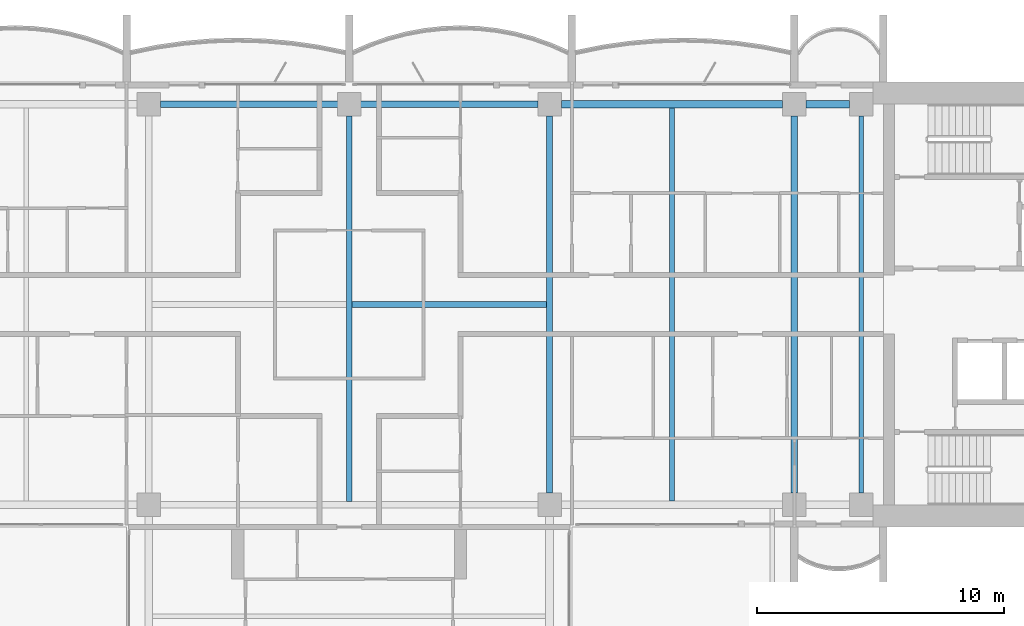
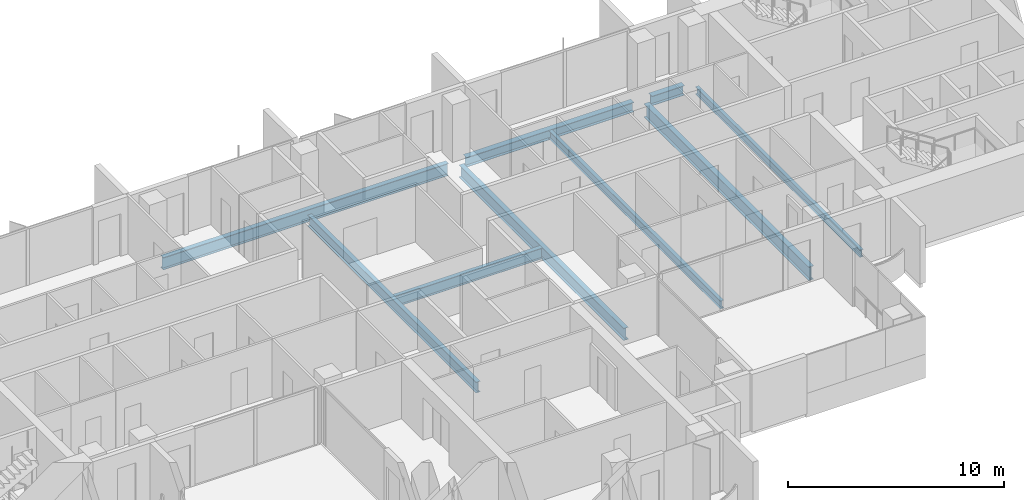
# One storey, part 4 of 18: 9 beams.
"""IFC4 building model written with IfcOpenShell, lengths in metres."""

from ifc_helpers import new_model, si_unit, direction, frame, origin, origin_2d, place, context, subcontext, project, spatial, i_section, extrude, material, material_profile, profile_set, type_object, element, save


model = new_model("IFC4")

# Units and contexts
model_context = context("Model", 3, precision=1e-05, world=origin(), true_north=direction((0.0, 1.0)))
body_context = subcontext(model_context, "Body", "Model", "MODEL_VIEW")
ifc_project = project(units=[si_unit("LENGTHUNIT", "METRE"), si_unit("AREAUNIT", "SQUARE_METRE"), si_unit("VOLUMEUNIT", "CUBIC_METRE"), si_unit("PLANEANGLEUNIT", "RADIAN"), si_unit("MASSUNIT", "GRAM", prefix="KILO")], contexts=[model_context])

# Site, building, storey
site_placement = place(None, origin())
site = spatial("IfcSite", under=ifc_project, at=site_placement, CompositionType="ELEMENT")
building_placement = place(site_placement, origin())
building = spatial("IfcBuilding", under=site, at=building_placement, Name="Perihelion Cross Residences", CompositionType="ELEMENT")
storey_placement = place(building_placement, frame((0.0, 0.0, 215.60009765625)))
storey = spatial("IfcBuildingStorey", under=building, at=storey_placement, Name="L54", CompositionType="ELEMENT", Elevation=215.60009765625)

# Beams
ifc_material_1 = material(Name="Steel S355", Category="steel")
ifc_material_profile_1 = material_profile(ifc_material_1, i_section(OverallWidth=0.180908203125, OverallDepth=0.4169921875, WebThickness=0.010986328125, FlangeThickness=0.018310546875, at=origin_2d()), Name="W410x85")
ifc_profile_set_1 = profile_set([ifc_material_profile_1], Name="Steel S355")
beam_type_1 = type_object("IfcBeamType", Name="Core edge beam W410x85", PredefinedType="BEAM", material=ifc_profile_set_1)
beam_1_placement = place(storey_placement, frame((20.699951171875, -7.625, -0.45849609375), z_axis=(0.0, 1.0, 0.0), x_axis=(-1.0, 0.0, 0.0)))
element("IfcBeam", 1, at=beam_1_placement, inside=storey, type_object=beam_type_1, Name="Core edge beam TB6 L54 no. 2", PredefinedType="BEAM", context=body_context, shape_type="SweptSolid", body=[
    extrude(i_section(OverallWidth=0.180908203125, OverallDepth=0.4169921875, WebThickness=0.010986328125, FlangeThickness=0.018310546875, at=origin_2d()), origin(), (0.0, 0.0, 1.0), 15.25),
])
ifc_material_2 = material(Name="Steel S355", Category="steel")
ifc_material_profile_2 = material_profile(ifc_material_2, i_section(OverallWidth=0.31201171875, OverallDepth=0.5439453125, WebThickness=0.0126953125, FlangeThickness=0.020263671875, at=origin_2d()), Name="W530x150")
ifc_profile_set_2 = profile_set([ifc_material_profile_2], Name="Steel S355")
beam_type_2 = type_object("IfcBeamType", Name="Edge beam W530x150", PredefinedType="SPANDREL", material=ifc_profile_set_2)
beam_2_placement = place(storey_placement, frame((20.22509765625, 8.10009765625, -0.522216796875), z_axis=(-1.0, 0.0, 0.0), x_axis=(0.0, -1.0, 0.0)))
element("IfcBeam", 2, at=beam_2_placement, inside=storey, type_object=beam_type_2, Name="Edge beam SB4 L54 no. 10", PredefinedType="SPANDREL", context=body_context, shape_type="SweptSolid", body=[
    extrude(i_section(OverallWidth=0.31201171875, OverallDepth=0.5439453125, WebThickness=0.0126953125, FlangeThickness=0.020263671875, at=origin_2d()), origin(), (0.0, 0.0, 1.0), 1.75),
])
beam_3_placement = place(storey_placement, frame((17.52490234375, 8.10009765625, -0.522216796875), z_axis=(-1.0, 0.0, 0.0), x_axis=(0.0, -1.0, 0.0)))
element("IfcBeam", 3, at=beam_3_placement, inside=storey, type_object=beam_type_2, Name="Edge beam SB4 L54 no. 9", PredefinedType="SPANDREL", context=body_context, shape_type="SweptSolid", body=[
    extrude(i_section(OverallWidth=0.31201171875, OverallDepth=0.5439453125, WebThickness=0.0126953125, FlangeThickness=0.020263671875, at=origin_2d()), origin(), (0.0, 0.0, 1.0), 8.949951171875),
])
ifc_material_3 = material(Name="Steel S355", Category="steel")
ifc_material_profile_3 = material_profile(ifc_material_3, i_section(OverallWidth=0.26708984375, OverallDepth=0.77001953125, WebThickness=0.015625, FlangeThickness=0.025390625, at=origin_2d()), Name="W760x196")
ifc_profile_set_3 = profile_set([ifc_material_profile_3], Name="Steel S355")
beam_type_3 = type_object("IfcBeamType", Name="Floor girder W760x196", PredefinedType="BEAM", material=ifc_profile_set_3)
beam_4_placement = place(storey_placement, frame((18.0, -7.625, -0.635009765625), z_axis=(0.0, 1.0, 0.0), x_axis=(-1.0, 0.0, 0.0)))
element("IfcBeam", 4, at=beam_4_placement, inside=storey, type_object=beam_type_3, Name="Girder G4 L54 no. 2", PredefinedType="BEAM", context=body_context, shape_type="SweptSolid", body=[
    extrude(i_section(OverallWidth=0.26708984375, OverallDepth=0.77001953125, WebThickness=0.015625, FlangeThickness=0.025390625, at=origin_2d()), origin(), (0.0, 0.0, 1.0), 15.25),
])
ifc_material_4 = material(Name="Steel S355", Category="steel")
ifc_material_profile_4 = material_profile(ifc_material_4, i_section(OverallWidth=0.19091796875, OverallDepth=0.45703125, WebThickness=0.009033203125, FlangeThickness=0.014404296875, at=origin_2d()), Name="W460x74")
ifc_profile_set_4 = profile_set([ifc_material_profile_4], Name="Steel S355")
beam_type_4 = type_object("IfcBeamType", Name="Floor joist W460x74", PredefinedType="JOIST", material=ifc_profile_set_4)
beam_5_placement = place(storey_placement, frame((13.050048828125, -7.944091796875, -0.478515625), z_axis=(0.0, 1.0, 0.0), x_axis=(-1.0, 0.0, 0.0)))
element("IfcBeam", 5, at=beam_5_placement, inside=storey, type_object=beam_type_4, Name="Joist J5 L54 no. 2", PredefinedType="JOIST", context=body_context, shape_type="SweptSolid", body=[
    extrude(i_section(OverallWidth=0.19091796875, OverallDepth=0.45703125, WebThickness=0.009033203125, FlangeThickness=0.014404296875, at=origin_2d()), origin(), (0.0, 0.0, 1.0), 15.88818359375),
])
ifc_material_5 = material(Name="Steel S355", Category="steel")
ifc_material_profile_5 = material_profile(ifc_material_5, i_section(OverallWidth=0.22900390625, OverallDepth=0.612060546875, WebThickness=0.011962890625, FlangeThickness=0.01953125, at=origin_2d()), Name="W610x125")
ifc_profile_set_5 = profile_set([ifc_material_profile_5], Name="Steel S355")
beam_type_5 = type_object("IfcBeamType", Name="Hub cross beam W610x125", PredefinedType="BEAM", material=ifc_profile_set_5)
beam_6_placement = place(storey_placement, frame((0.0, -7.971435546875, -0.55615234375), z_axis=(0.0, 1.0, 0.0), x_axis=(-1.0, 0.0, 0.0)))
element("IfcBeam", 6, at=beam_6_placement, inside=storey, type_object=beam_type_5, Name="Hub cross beam XB4 L54 no. 1", PredefinedType="BEAM", context=body_context, shape_type="SweptSolid", body=[
    extrude(i_section(OverallWidth=0.22900390625, OverallDepth=0.612060546875, WebThickness=0.011962890625, FlangeThickness=0.01953125, at=origin_2d()), origin(), (0.0, 0.0, 1.0), 15.596435546875),
])
beam_7_placement = place(storey_placement, frame((0.114501953125, 0.0, -0.55615234375), z_axis=(1.0, 0.0, 0.0), x_axis=(0.0, 1.0, 0.0)))
element("IfcBeam", 7, at=beam_7_placement, inside=storey, type_object=beam_type_5, Name="Hub cross beam XB4 L54 2 no. 1", PredefinedType="BEAM", context=body_context, shape_type="SweptSolid", body=[
    extrude(i_section(OverallWidth=0.22900390625, OverallDepth=0.612060546875, WebThickness=0.011962890625, FlangeThickness=0.01953125, at=origin_2d()), origin(), (0.0, 0.0, 1.0), 7.85693359375),
])
ifc_material_6 = material(Name="Steel S355", Category="steel")
ifc_material_profile_6 = material_profile(ifc_material_6, i_section(OverallWidth=0.257080078125, OverallDepth=0.693115234375, WebThickness=0.014404296875, FlangeThickness=0.023681640625, at=origin_2d()), Name="W690x170")
ifc_profile_set_6 = profile_set([ifc_material_profile_6], Name="Steel S355")
beam_type_6 = type_object("IfcBeamType", Name="Hub ring girder W690x170", PredefinedType="BEAM", material=ifc_profile_set_6)
for number, where, z_axis, x_axis, name in (
    (8, (8.10009765625, -7.625, -0.5966796875), (0.0, 1.0, 0.0), (-1.0, 0.0, 0.0), "Hub ring girder RG4 L54 no. 3"),
    (9, (7.625, 8.10009765625, -0.5966796875), (-1.0, 0.0, 0.0), (0.0, -1.0, 0.0), "Hub ring girder RG4 L54 no. 4"),
):
    element("IfcBeam", number, at=place(storey_placement, frame(where, z_axis=z_axis, x_axis=x_axis)), inside=storey, type_object=beam_type_6, Name=name, PredefinedType="BEAM", context=body_context, shape_type="SweptSolid", body=[
        extrude(i_section(OverallWidth=0.257080078125, OverallDepth=0.693115234375, WebThickness=0.014404296875, FlangeThickness=0.023681640625, at=origin_2d()), origin(), (0.0, 0.0, 1.0), 15.25),
    ])

save(model, "model.ifc")
